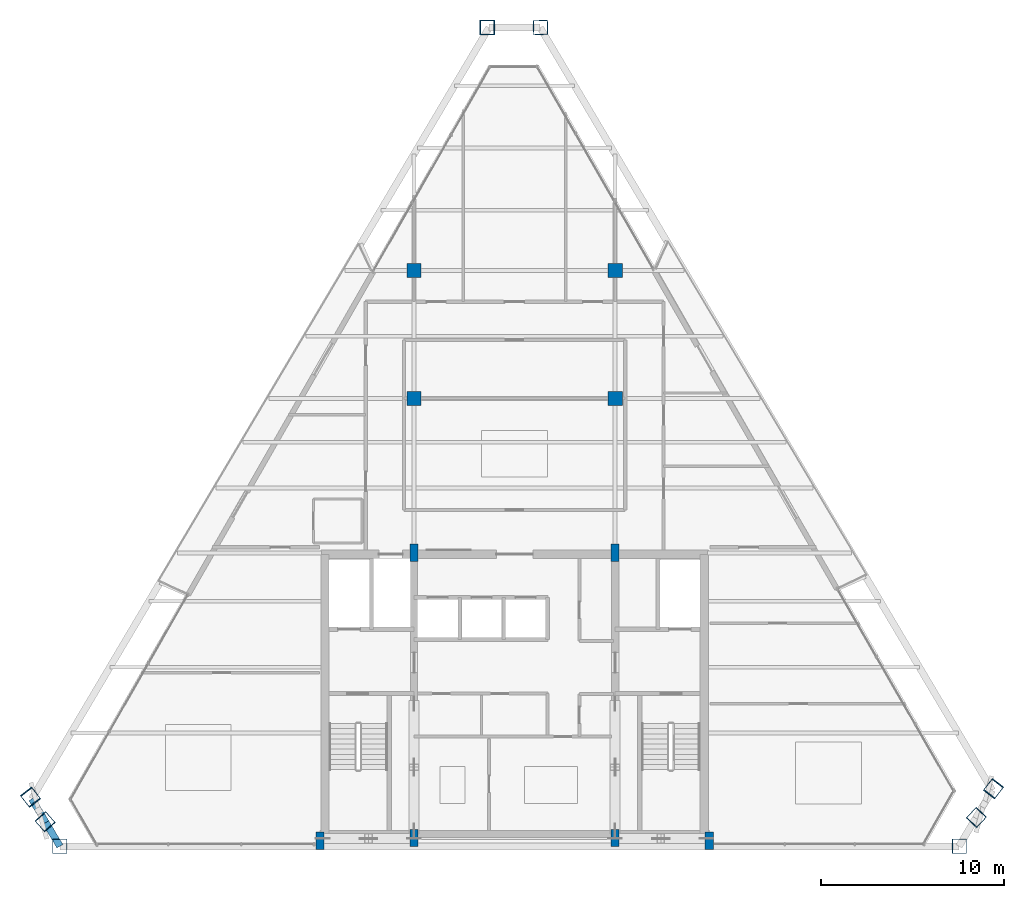
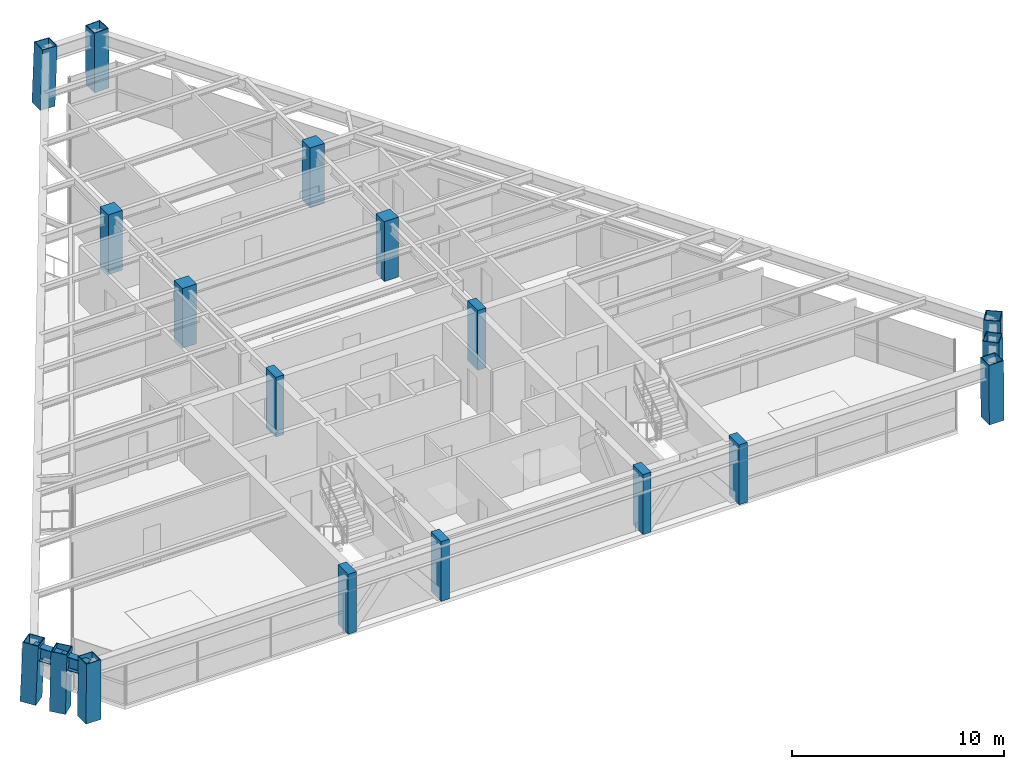
# One storey, part 1 of 13: 18 columns, 2 beams.
"""IFC4 building model written with IfcOpenShell, lengths in metres."""

from ifc_helpers import new_model, si_unit, direction, frame, origin, origin_2d, place, context, subcontext, project, spatial, rectangle, hollow_rectangle, i_section, extrude, source, transform, mapped, material, material_profile, profile_set, type_object, type_shapes, element, save


model = new_model("IFC4")

# Units and contexts
model_context = context("Model", 3, precision=1e-05, world=origin(), true_north=direction((0.0, 1.0)))
body_context = subcontext(model_context, "Body", "Model", "MODEL_VIEW")
ifc_project = project(units=[si_unit("LENGTHUNIT", "METRE"), si_unit("AREAUNIT", "SQUARE_METRE"), si_unit("VOLUMEUNIT", "CUBIC_METRE"), si_unit("PLANEANGLEUNIT", "RADIAN"), si_unit("MASSUNIT", "GRAM", prefix="KILO")], contexts=[model_context])

# Site, building, storey
site_placement = place(None, origin())
site = spatial("IfcSite", under=ifc_project, at=site_placement, CompositionType="ELEMENT")
building_placement = place(site_placement, origin())
building = spatial("IfcBuilding", under=site, at=building_placement, Name="Varnakhor Terracotta Tower", CompositionType="ELEMENT")
storey_placement = place(building_placement, frame((0.0, 0.0, 297.14990234375)))
storey = spatial("IfcBuildingStorey", under=building, at=storey_placement, Name="L78", CompositionType="ELEMENT", Elevation=297.14990234375)

# Columns
ifc_material_1 = material(Name="Concrete C50/60", Category="concrete")
ifc_material_profile_1 = material_profile(ifc_material_1, rectangle(XDim=0.449951171875, YDim=0.949951171875, at=origin_2d()), Name="RC PILASTER 950x450")
ifc_profile_set_1 = profile_set([ifc_material_profile_1], Name="Concrete C50/60")
column_type_1 = type_object("IfcColumnType", Name="COL-PIL-950x450", PredefinedType="PILASTER", material=ifc_profile_set_1)
shared_shape_1 = source(origin(), body_context, "Body", "SweptSolid", [
    extrude(rectangle(XDim=0.449951171875, YDim=0.949951171875, at=origin_2d()), origin(), (0.0, 0.0, 1.0), 3.4501953125),
])
for number, where, z_axis, x_axis, name in (
    (1, (-10.64990234375, 0.300048828125, 0.0), (0.0, 0.0, 1.0), (1.0, 0.0, 0.0), "L78 Core Pilaster CP1"),
    (2, (-5.5, 0.449951171875, 0.0), (0.0, 0.0, 1.0), (1.0, 0.0, 0.0), "L78 Core Pilaster CP2"),
    (3, (5.5, 0.449951171875, 0.0), (0.0, 0.0, 1.0), (1.0, 0.0, 0.0), "L78 Core Pilaster CP3"),
    (4, (10.64990234375, 0.300048828125, 0.0), (0.0, 0.0, 1.0), (1.0, 0.0, 0.0), "L78 Core Pilaster CP4"),
    (5, (-5.5, 16.050048828125, 0.0), (0.0, 0.0, 1.0), (1.0, 0.0, 0.0), "L78 Core Pilaster CP5"),
    (6, (5.5, 16.050048828125, 0.0), (0.0, 0.0, 1.0), (1.0, 0.0, 0.0), "L78 Core Pilaster CP6"),
):
    element("IfcColumn", number, at=place(storey_placement, frame(where, z_axis=z_axis, x_axis=x_axis)), inside=storey, type_object=column_type_1, Name=name, PredefinedType="PILASTER", context=body_context, shape_type="MappedRepresentation", body=[
        mapped(shared_shape_1, transform((0.0, 0.0, 0.0), scale=1.0)),
    ])
ifc_material_profile_2 = material_profile(ifc_material_1, rectangle(XDim=0.780029296875, YDim=0.780029296875, at=origin_2d()), Name="RC 780x780")
ifc_profile_set_2 = profile_set([ifc_material_profile_2], Name="Concrete C50/60")
column_type_2 = type_object("IfcColumnType", Name="COL-RC-780", PredefinedType="COLUMN", material=ifc_profile_set_2)
shared_shape_2 = source(origin(), body_context, "Body", "SweptSolid", [
    extrude(rectangle(XDim=0.780029296875, YDim=0.780029296875, at=origin_2d()), origin(), (0.0, 0.0, 1.0), 3.4501953125),
])
for number, where, z_axis, x_axis, name in (
    (7, (-5.5, 24.5, 0.0), (0.0, 0.0, 1.0), (1.0, 0.0, 0.0), "L78 Interior Tower Column IC1"),
    (8, (5.5, 24.5, 0.0), (0.0, 0.0, 1.0), (1.0, 0.0, 0.0), "L78 Interior Tower Column IC2"),
    (9, (-5.5, 31.5, 0.0), (0.0, 0.0, 1.0), (1.0, 0.0, 0.0), "L78 Interior Tower Column IC3"),
    (10, (5.5, 31.5, 0.0), (0.0, 0.0, 1.0), (1.0, 0.0, 0.0), "L78 Interior Tower Column IC4"),
):
    element("IfcColumn", number, at=place(storey_placement, frame(where, z_axis=z_axis, x_axis=x_axis)), inside=storey, type_object=column_type_2, Name=name, PredefinedType="COLUMN", context=body_context, shape_type="MappedRepresentation", body=[
        mapped(shared_shape_2, transform((0.0, 0.0, 0.0), scale=1.0)),
    ])
ifc_material_2 = material(Name="Steel S355", Category="steel")
ifc_material_profile_3 = material_profile(ifc_material_2, hollow_rectangle(XDim=0.800048828125, YDim=0.800048828125, WallThickness=0.0400390625, at=origin_2d()), Name="BOX 800x800x40")
ifc_profile_set_3 = profile_set([ifc_material_profile_3], Name="Steel S355")
column_type_3 = type_object("IfcColumnType", Name="COL-MEGA-800", PredefinedType="COLUMN", material=ifc_profile_set_3)
shared_shape_3 = source(origin(), body_context, "Body", "SweptSolid", [
    extrude(hollow_rectangle(XDim=0.800048828125, YDim=0.800048828125, WallThickness=0.0400390625, at=origin_2d()), origin(), (0.0, 0.0, 1.0), 3.44140625),
])
type_shapes(column_type_3, [shared_shape_3])
for number, where, z_axis, x_axis, name in (
    (11, (-24.8876953125, 0.0, 0.00439453125), (0.003547083247, 0.0, 0.99999370908), (0.0, 1.0, 0.0), "L78 Perimeter Mega-Column M1"),
    (12, (24.33349609375, 0.0, 0.00439453125), (-0.004965886556, 0.0, 0.999987669909), (0.0, -1.0, 0.0), "L78 Perimeter Mega-Column M2"),
    (13, (1.423583984375, 44.793212890625, 0.00439453125), (-0.007590587048, -0.000212820198, 0.999971168432), (0.028026369649, -0.99960718415, 0.0), "L78 Perimeter Mega-Column M5"),
):
    element("IfcColumn", number, at=place(storey_placement, frame(where, z_axis=z_axis, x_axis=x_axis)), inside=storey, type_object=column_type_3, Name=name, PredefinedType="COLUMN", context=body_context, shape_type="MappedRepresentation", body=[
        mapped(shared_shape_3, transform((0.0, 0.0, 0.0), scale=1.0)),
    ])
shared_shape_4 = source(origin(), body_context, "Body", "SweptSolid", [
    extrude(hollow_rectangle(XDim=0.800048828125, YDim=0.800048828125, WallThickness=0.0400390625, at=origin_2d()), origin(), (0.0, 0.0, 1.0), 3.442138671875),
])
for number, where, z_axis, x_axis, name in (
    (14, (25.27392578125, 1.584716796875, 0.00439453125), (-0.014256272431, -0.015178319902, 0.999783165142), (0.728899576498, -0.684620630262, 0.0), "L78 Perimeter Mega-Column M3"),
    (15, (-25.692626953125, 1.351806640625, 0.00439453125), (0.014114259928, -0.016029260019, 0.99977189923), (0.750515848347, 0.660852450536, 0.0), "L78 Perimeter Mega-Column M8"),
):
    element("IfcColumn", number, at=place(storey_placement, frame(where, z_axis=z_axis, x_axis=x_axis)), inside=storey, type_object=column_type_3, Name=name, PredefinedType="COLUMN", context=body_context, shape_type="MappedRepresentation", body=[
        mapped(shared_shape_4, transform((0.0, 0.0, 0.0), scale=1.0)),
    ])
shared_shape_5 = source(origin(), body_context, "Body", "SweptSolid", [
    extrude(hollow_rectangle(XDim=0.800048828125, YDim=0.800048828125, WallThickness=0.0400390625, at=origin_2d()), origin(), (0.0, 0.0, 1.0), 3.44384765625),
])
column_1_placement = place(storey_placement, frame((26.214111328125, 3.169189453125, 0.00439453125), z_axis=(-0.023464559754, -0.030340880891, 0.999264151955), x_axis=(0.791041058592, -0.611763061668, 0.0)))
element("IfcColumn", 16, at=column_1_placement, inside=storey, type_object=column_type_3, Name="L78 Perimeter Mega-Column M4", PredefinedType="COLUMN", context=body_context, shape_type="MappedRepresentation", body=[
    mapped(shared_shape_5, transform((0.0, 0.0, 0.0), scale=1.0)),
])
shared_shape_6 = source(origin(), body_context, "Body", "SweptSolid", [
    extrude(hollow_rectangle(XDim=0.800048828125, YDim=0.800048828125, WallThickness=0.0400390625, at=origin_2d()), origin(), (0.0, 0.0, 1.0), 3.4443359375),
])
column_2_placement = place(storey_placement, frame((-26.49755859375, 2.703369140625, 0.00439453125), z_axis=(0.024667719721, -0.031968797684, 0.999184417202), x_axis=(0.791709480382, 0.610897780871, 0.0)))
element("IfcColumn", 17, at=column_2_placement, inside=storey, type_object=column_type_3, Name="L78 Perimeter Mega-Column M7", PredefinedType="COLUMN", context=body_context, shape_type="MappedRepresentation", body=[
    mapped(shared_shape_6, transform((0.0, 0.0, 0.0), scale=1.0)),
])
shared_shape_7 = source(origin(), body_context, "Body", "SweptSolid", [
    extrude(hollow_rectangle(XDim=0.800048828125, YDim=0.800048828125, WallThickness=0.0400390625, at=origin_2d()), origin(), (0.0, 0.0, 1.0), 3.443603515625),
])
column_3_placement = place(storey_placement, frame((-1.521484375, 44.793212890625, 0.00439453125), z_axis=(0.036015211362, -0.000212688256, 0.999351219199), x_axis=(0.005905408836, 0.999982562921, 0.0)))
element("IfcColumn", 18, at=column_3_placement, inside=storey, type_object=column_type_3, Name="L78 Perimeter Mega-Column M6", PredefinedType="COLUMN", context=body_context, shape_type="MappedRepresentation", body=[
    mapped(shared_shape_7, transform((0.0, 0.0, 0.0), scale=1.0)),
])

# Beams
ifc_material_profile_4 = material_profile(ifc_material_2, i_section(OverallWidth=0.381103515625, OverallDepth=0.77294921875, WebThickness=0.01708984375, FlangeThickness=0.027099609375, FilletRadius=0.01806640625, at=origin_2d()), Name="W30X173")
ifc_profile_set_4 = profile_set([ifc_material_profile_4], Name="Steel S355")
beam_type = type_object("IfcBeamType", Name="BM-W30X173", PredefinedType="BEAM", material=ifc_profile_set_4)
shared_shape_8 = source(origin(), body_context, "Body", "SweptSolid", [
    extrude(i_section(OverallWidth=0.381103515625, OverallDepth=0.77294921875, WebThickness=0.01708984375, FlangeThickness=0.027099609375, FilletRadius=0.01806640625, at=origin_2d()), origin(), (0.0, 0.0, 1.0), 1.50732421875),
])
for number, where, z_axis, x_axis, name in (
    (19, (-26.41259765625, 2.59326171875, 2.853515625), (0.509891184998, -0.860238908363, 0.0), (0.860238908363, 0.509891184998, 0.0), "L78 Perimeter Spandrel 7"),
    (20, (-25.64404296875, 1.296630859375, 2.853515625), (0.509891184998, -0.860238908363, 0.0), (0.860238908363, 0.509891184998, 0.0), "L78 Perimeter Spandrel 8"),
):
    element("IfcBeam", number, at=place(storey_placement, frame(where, z_axis=z_axis, x_axis=x_axis)), inside=storey, type_object=beam_type, Name=name, PredefinedType="BEAM", context=body_context, shape_type="MappedRepresentation", body=[
        mapped(shared_shape_8, transform((0.0, 0.0, 0.0), scale=1.0)),
    ])

save(model, "model.ifc")
